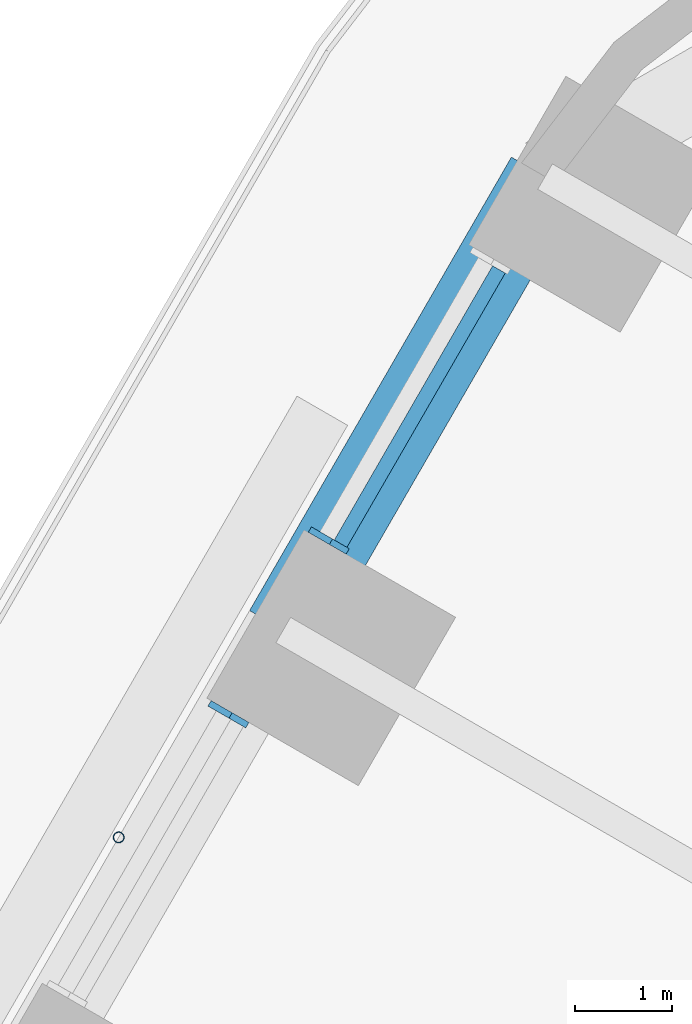
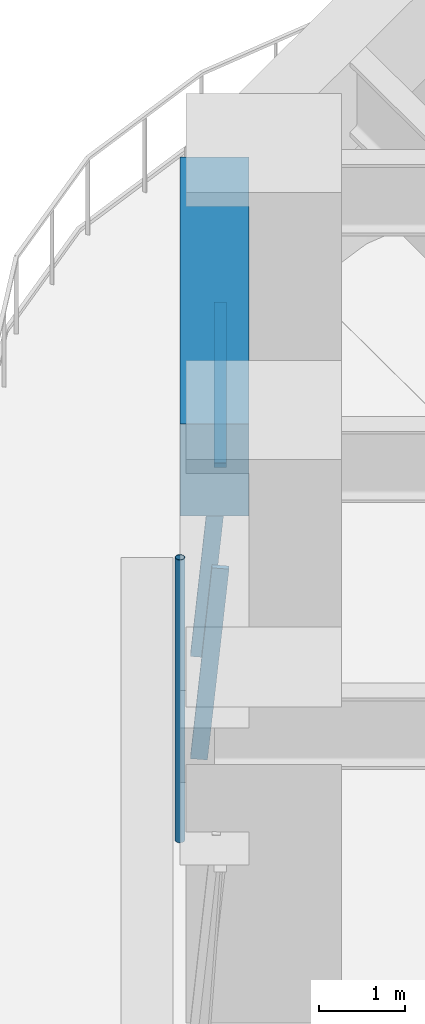
# One storey, part 9 of 23: 4 members, 1 beam, 2 elements without a shape of their own.
"""IFC4 building model written with IfcOpenShell, lengths in metres."""

from ifc_helpers import new_model, si_unit, direction, frame, origin, origin_2d, place, context, subcontext, project, spatial, rectangle, hollow_circle, extrude, material, material_profile, profile_set, type_object, element, aggregate, save


model = new_model("IFC4")

# Units and contexts
model_context = context("Model", 3, precision=1e-05, world=origin(), true_north=direction((0.0, 1.0)))
body_context = subcontext(model_context, "Body", "Model", "MODEL_VIEW")
ifc_project = project(units=[si_unit("LENGTHUNIT", "METRE"), si_unit("AREAUNIT", "SQUARE_METRE"), si_unit("VOLUMEUNIT", "CUBIC_METRE"), si_unit("PLANEANGLEUNIT", "RADIAN"), si_unit("MASSUNIT", "GRAM", prefix="KILO")], contexts=[model_context])

# Site, building, storey
site_placement = place(None, origin())
site = spatial("IfcSite", under=ifc_project, at=site_placement, CompositionType="ELEMENT")
building_placement = place(site_placement, origin())
building = spatial("IfcBuilding", under=site, at=building_placement, Name="Tarfa Lantern Tower", CompositionType="ELEMENT")
storey_placement = place(building_placement, frame((0.0, 0.0, 48.699951171875)))
storey = spatial("IfcBuildingStorey", under=building, at=storey_placement, Name="L10", CompositionType="ELEMENT", Elevation=48.699951171875)

# Curtain wall, member
ifc_material_1 = material(Name="Aluminium framed curtain wall", Category="aluminium")
curtain_wall_type = type_object("IfcCurtainWallType", Name="CW1 CANTED GLAZING LOW ZONE 2700", PredefinedType="USERDEFINED", material=ifc_material_1)
curtain_wall_1_placement = place(storey_placement, origin())
curtain_wall_1 = element("IfcCurtainWall", 1, at=curtain_wall_1_placement, inside=storey, type_object=curtain_wall_type, Name="CW1 NW L10", ObjectType="CURTAIN WALL", PredefinedType="USERDEFINED")
ifc_material_2 = material(Name="Aluminium mullion", Category="aluminium")
ifc_material_profile_1 = material_profile(ifc_material_2, rectangle(XDim=0.06494140625, YDim=0.199951171875, at=origin_2d()), Name="AL MULLION 65x200")
ifc_profile_set_1 = profile_set([ifc_material_profile_1], Name="Aluminium mullion")
member_type_1 = type_object("IfcMemberType", Name="CWM1 MULLION 65x200", PredefinedType="MULLION", material=ifc_profile_set_1)
member_1_placement = place(storey_placement, frame((-23.453369140625, 27.177490234375, 0.0), z_axis=(0.07986442134, -0.046099868913, 0.99573916077), x_axis=(0.499919672301, 0.866071776036, 0.0)))
member_1 = element("IfcMember", 2, at=member_1_placement, type_object=member_type_1, Name="CW1 mullion 2", PredefinedType="MULLION", context=body_context, shape_type="SweptSolid", body=[
    extrude(rectangle(XDim=0.06494140625, YDim=0.199951171875, at=origin_2d()), origin(), (0.0, 0.0, 1.0), 2.71142578125),
])

curtain_wall_2_placement = place(storey_placement, origin())
curtain_wall_2 = element("IfcCurtainWall", 3, at=curtain_wall_2_placement, inside=storey, type_object=curtain_wall_type, Name="CW1 NW L10", ObjectType="CURTAIN WALL", PredefinedType="USERDEFINED")
member_2_placement = place(storey_placement, frame((-24.48583984375, 25.38916015625, 0.0), z_axis=(0.07986442134, -0.046099868913, 0.99573916077), x_axis=(0.499919672301, 0.866071776036, 0.0)))
member_2 = element("IfcMember", 4, at=member_2_placement, type_object=member_type_1, Name="CW1 mullion 1", PredefinedType="MULLION", context=body_context, shape_type="SweptSolid", body=[
    extrude(rectangle(XDim=0.06494140625, YDim=0.199951171875, at=origin_2d()), origin(), (0.0, 0.0, 1.0), 2.71142578125),
])
aggregate(curtain_wall_2, [member_2])

# Member
ifc_material_3 = material(Name="Aluminium transom", Category="aluminium")
ifc_material_profile_2 = material_profile(ifc_material_3, rectangle(XDim=0.14990234375, YDim=0.06494140625, at=origin_2d()), Name="AL TRANSOM 150x65")
ifc_profile_set_2 = profile_set([ifc_material_profile_2], Name="Aluminium transom")
member_type_2 = type_object("IfcMemberType", Name="CWT1 TRANSOM 150x65", PredefinedType="USERDEFINED", material=ifc_profile_set_2)
member_3_placement = place(storey_placement, frame((-21.593994140625, 29.904296875, 2.66748046875), z_axis=(-0.499966746847, -0.86604460165, 0.0), x_axis=(0.86604460165, -0.499966746847, 0.0)))
member_3 = element("IfcMember", 5, at=member_3_placement, type_object=member_type_2, Name="CW1 transom 1.2", ObjectType="TRANSOM", PredefinedType="USERDEFINED", context=body_context, shape_type="SweptSolid", body=[
    extrude(rectangle(XDim=0.14990234375, YDim=0.06494140625, at=origin_2d()), origin(), (0.0, 0.0, 1.0), 3.258544921875),
])

aggregate(curtain_wall_1, [member_1, member_3])

# Beam
ifc_material_4 = material(Name="Concrete C80/95", Category="concrete")
ifc_material_profile_3 = material_profile(ifc_material_4, rectangle(XDim=0.800048828125, YDim=1.300048828125, at=origin_2d()), Name="RC 800x1300")
ifc_profile_set_3 = profile_set([ifc_material_profile_3], Name="Concrete C80/95")
beam_type = type_object("IfcBeamType", Name="EB1 RC 800x1300", PredefinedType="SPANDREL", material=ifc_profile_set_3)
beam_placement = place(storey_placement, frame((-21.119384765625, 30.860107421875, 3.35009765625), z_axis=(-0.499998287579, -0.866026392449, 0.0), x_axis=(0.866026392449, -0.499998287579, 0.0)))
element("IfcBeam", 6, at=beam_placement, inside=storey, type_object=beam_type, Name="Edge beam NW0", PredefinedType="SPANDREL", context=body_context, shape_type="SweptSolid", body=[
    extrude(rectangle(XDim=0.800048828125, YDim=1.300048828125, at=origin_2d()), origin(), (0.0, 0.0, 1.0), 5.388671875),
])

# Member
ifc_material_5 = material(Name="Steel S355", Category="steel")
ifc_material_profile_4 = material_profile(ifc_material_5, hollow_circle(Radius=0.05712890625, WallThickness=0.00634765625, at=origin_2d()), Name="CHS114.3x6.3")
ifc_profile_set_4 = profile_set([ifc_material_profile_4], Name="Steel S355")
member_type_3 = type_object("IfcMemberType", Name="TR1 GREEN WALL TRELLIS CHS114.3x6.3", PredefinedType="USERDEFINED", material=ifc_profile_set_4)
member_4_placement = place(storey_placement, frame((-25.50732421875, 24.06005859375, 0.0), z_axis=(0.0, 0.0, 1.0), x_axis=(1.0, 0.0, 0.0)))
element("IfcMember", 7, at=member_4_placement, inside=storey, type_object=member_type_3, Name="Trellis post NW 1", ObjectType="TRELLIS", PredefinedType="USERDEFINED", context=body_context, shape_type="SweptSolid", body=[
    extrude(hollow_circle(Radius=0.05712890625, WallThickness=0.00634765625, at=origin_2d()), origin(), (0.0, 0.0, 1.0), 4.0),
])

save(model, "model.ifc")
